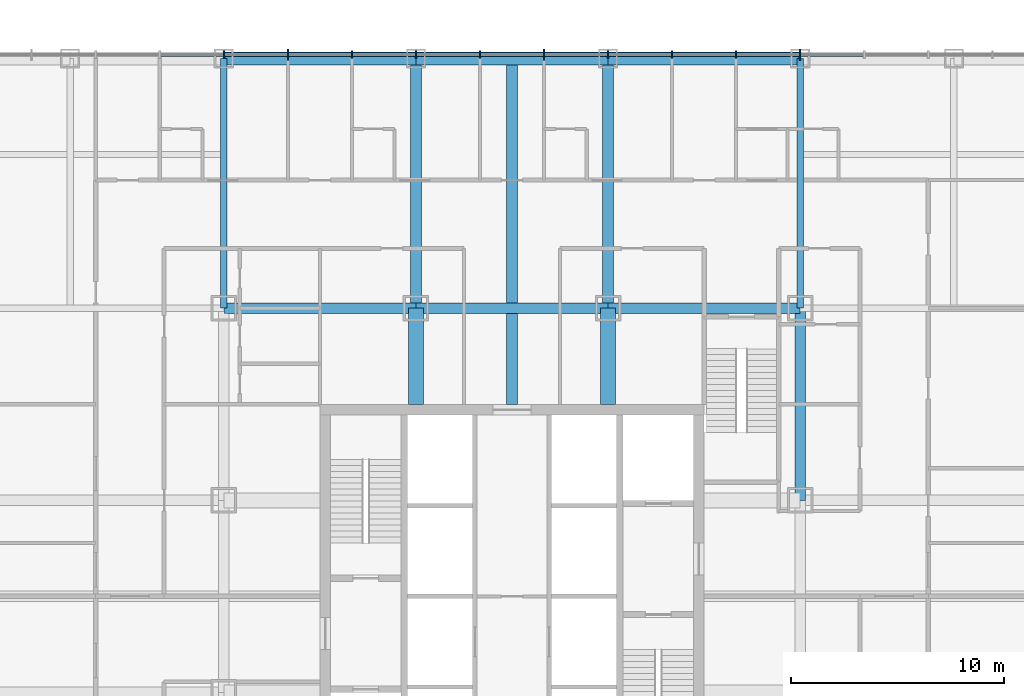
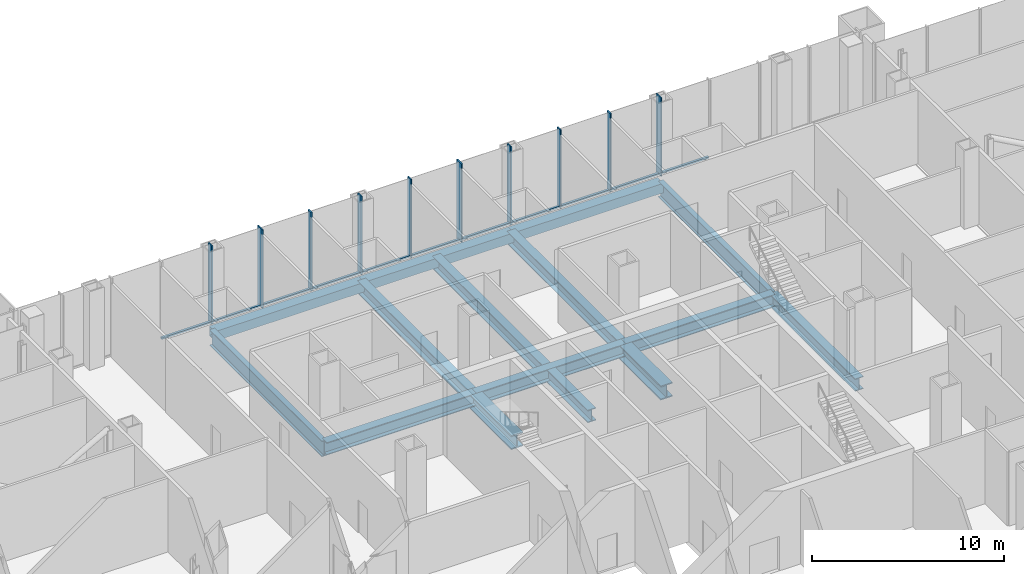
# One storey, part 9 of 28: 21 members, 14 beams, 1 element without a shape of its own.
"""IFC4 building model written with IfcOpenShell, lengths in metres."""

import ifcopenshell
import ifcopenshell.guid

model = None  # the IFC model being written
_history = None  # IfcOwnerHistory: only IFC2X3 demands one
_inside = {}  # id of a spatial element -> (the spatial element, [elements in it])
_under = {}  # id of a project, library or spatial element -> (it, [spatial elements below it])
_declared = {}  # id of a project -> (the project, [libraries it declares])
_typed = {}  # id of a type object -> (the type object, [elements of that type])
_made_of = {}  # id of a material, layer set ... -> (it, [elements and type objects made of it])


def new_model(schema):
    """Start an empty IFC model of exactly this schema.

    Asked for "IFC4X3", IfcOpenShell would pick the latest addendum, in which some entities
    have other attributes; the version numbers below select the first issue.
    IFC2X3 requires an IfcOwnerHistory on every rooted entity: one is made here for all.
    """
    global model, _history
    if schema == "IFC4X3":
        model = ifcopenshell.file(schema_version=(4, 3, 0, 0))
    else:
        model = ifcopenshell.file(schema=schema)
    _inside.clear()
    _under.clear()
    _declared.clear()
    _typed.clear()
    _made_of.clear()
    _history = None
    if model.schema == "IFC2X3":
        org = make("IfcOrganization", Name="unknown")
        user = make(
            "IfcPersonAndOrganization",
            ThePerson=make("IfcPerson", FamilyName="unknown"),
            TheOrganization=org,
        )
        app = make(
            "IfcApplication",
            ApplicationDeveloper=org,
            Version="unknown",
            ApplicationFullName="unknown",
            ApplicationIdentifier="unknown",
        )
        _history = make(
            "IfcOwnerHistory",
            OwningUser=user,
            OwningApplication=app,
            ChangeAction="ADDED",
            CreationDate=0,
        )
    return model


def make(cls, **values):
    """One entity of the class cls with the attributes given. An attribute that is None is left unset."""
    return model.create_entity(
        cls, **{name: value for name, value in values.items() if value is not None}
    )


def rooted(cls, **values):
    """An entity with a GlobalId (a new one), such as an element, a storey or a relation."""
    return make(cls, GlobalId=ifcopenshell.guid.new(), OwnerHistory=_history, **values)


def si_unit(unit_type, name, prefix=None):
    """IfcSIUnit, for example si_unit("LENGTHUNIT", "METRE", prefix="MILLI")."""
    return make("IfcSIUnit", UnitType=unit_type, Prefix=prefix, Name=name)


def assignment(units):
    """IfcUnitAssignment: the units of a project."""
    return None if units is None else make("IfcUnitAssignment", Units=units)


def point(xyz):
    """IfcCartesianPoint."""
    return None if xyz is None else make("IfcCartesianPoint", Coordinates=xyz)


def direction(xyz):
    """IfcDirection."""
    return None if xyz is None else make("IfcDirection", DirectionRatios=xyz)


def frame(location, z_axis=None, x_axis=None):
    """IfcAxis2Placement3D, a coordinate frame: its origin and axes. An axis left out is left unset."""
    return make(
        "IfcAxis2Placement3D",
        Location=point(location),
        Axis=direction(z_axis),
        RefDirection=direction(x_axis),
    )


def frame_2d(location, x_axis=None):
    """IfcAxis2Placement2D, a coordinate frame in the plane: its origin and x axis."""
    return make(
        "IfcAxis2Placement2D", Location=point(location), RefDirection=direction(x_axis)
    )


def origin():
    """The frame at (0, 0, 0) with its axes left unset."""
    return frame((0.0, 0.0, 0.0))


def origin_2d():
    """The frame at (0, 0) in the plane with its x axis left unset."""
    return frame_2d((0.0, 0.0))


def place(relative_to, where):
    """IfcLocalPlacement: puts the frame where relative to a parent placement (None: the world)."""
    return make(
        "IfcLocalPlacement", PlacementRelTo=relative_to, RelativePlacement=where
    )


def context(
    kind, dimensions, precision=None, world=None, true_north=None, identifier=None
):
    """IfcGeometricRepresentationContext, for example the 3D "Model" context."""
    return make(
        "IfcGeometricRepresentationContext",
        ContextIdentifier=identifier,
        ContextType=kind,
        CoordinateSpaceDimension=dimensions,
        Precision=precision,
        WorldCoordinateSystem=world,
        TrueNorth=true_north,
    )


def subcontext(parent, identifier, kind, view, scale=None):
    """IfcGeometricRepresentationSubContext, for example "Body" below "Model"."""
    return make(
        "IfcGeometricRepresentationSubContext",
        ContextIdentifier=identifier,
        ContextType=kind,
        ParentContext=parent,
        TargetScale=scale,
        TargetView=view,
    )


def project(units=None, contexts=None):
    """IfcProject with its units and contexts."""
    return rooted(
        "IfcProject",
        Name="project",
        RepresentationContexts=contexts,
        UnitsInContext=assignment(units),
    )


def spatial(cls, under=None, at=None, **own):
    """A site, building, storey or space (cls), placed at a placement, below another one or the project."""
    s = rooted(cls, ObjectPlacement=at, **own)
    if under is not None:
        _under.setdefault(under.id(), (under, []))[1].append(s)
    return s


def profile(cls, at=None, kind="AREA", **sizes):
    """A parametric profile (cls). Its sizes go by their IFC names, for example OverallWidth=200.0."""
    return make(cls, ProfileType=kind, Position=at, **sizes)


def rectangle(**sizes):
    """IfcRectangleProfileDef."""
    return profile("IfcRectangleProfileDef", **sizes)


def hollow_rectangle(**sizes):
    """IfcRectangleHollowProfileDef."""
    return profile("IfcRectangleHollowProfileDef", **sizes)


def i_section(**sizes):
    """IfcIShapeProfileDef."""
    return profile("IfcIShapeProfileDef", **sizes)


def extrude(swept, where, along, depth):
    """IfcExtrudedAreaSolid: the profile swept, set in the frame where, extruded along a direction by depth."""
    return make(
        "IfcExtrudedAreaSolid",
        SweptArea=swept,
        Position=where,
        ExtrudedDirection=direction(along),
        Depth=depth,
    )


def shape(context_of_items, identifier, shape_type, items):
    """IfcShapeRepresentation: the items that make up one representation, for example the "Body"."""
    return make(
        "IfcShapeRepresentation",
        ContextOfItems=context_of_items,
        RepresentationIdentifier=identifier,
        RepresentationType=shape_type,
        Items=items,
    )


def material(Name=None, Category=None):
    """IfcMaterial."""
    return make("IfcMaterial", Name=Name, Category=Category)


def layer(
    of_material, thickness, ventilated=None, Name=None, Category=None, Priority=None
):
    """IfcMaterialLayer: one layer of a wall or slab, of a material (None: an air gap)."""
    return make(
        "IfcMaterialLayer",
        Material=of_material,
        LayerThickness=thickness,
        IsVentilated=ventilated,
        Name=Name,
        Category=Category,
        Priority=Priority,
    )


def layer_set(layers, Name=None):
    """IfcMaterialLayerSet."""
    return make("IfcMaterialLayerSet", MaterialLayers=layers, LayerSetName=Name)


def material_profile(
    of_material, cross_section, Name=None, Category=None, Priority=None
):
    """IfcMaterialProfile: a cross section and its material."""
    return make(
        "IfcMaterialProfile",
        Name=Name,
        Material=of_material,
        Profile=cross_section,
        Priority=Priority,
        Category=Category,
    )


def profile_set(profiles, Name=None, composite=None):
    """IfcMaterialProfileSet."""
    return make(
        "IfcMaterialProfileSet",
        Name=Name,
        MaterialProfiles=profiles,
        CompositeProfile=composite,
    )


def made_of(thing, what):
    """Note that an element or type object is made of a material, layer set ...; save() writes the relation."""
    if what is not None:
        _made_of.setdefault(what.id(), (what, []))[1].append(thing)
    return thing


def type_object(cls, material=None, **own):
    """A type object (cls), such as IfcWallType, which elements share."""
    return made_of(rooted(cls, **own), material)


def element(
    cls,
    number,
    at=None,
    inside=None,
    cuts=None,
    type_object=None,
    material=None,
    context=None,
    identifier="Body",
    shape_type=None,
    held_by="IfcProductDefinitionShape",
    body=None,
    shapes=None,
    **own,
):
    """One element of the class cls, such as IfcWall. Its Tag is "e" and its number.

    at: its placement. inside: the storey or other place that contains it. cuts: it is an
    opening in that element (IfcRelVoidsElement). A single representation is given by context,
    identifier, shape_type and body (its items); several are given by shapes. held_by: the class
    of the entity that holds the representations. save() writes the other relations.
    """
    e = rooted(cls, Tag="e%d" % number, ObjectPlacement=at, **own)
    if body is not None:
        shapes = [shape(context, identifier, shape_type, body)]
    if shapes is not None:
        e.Representation = make(held_by, Representations=shapes)
    if inside is not None:
        _inside.setdefault(inside.id(), (inside, []))[1].append(e)
    if cuts is not None:
        rooted(
            "IfcRelVoidsElement", RelatingBuildingElement=cuts, RelatedOpeningElement=e
        )
    if type_object is not None:
        _typed.setdefault(type_object.id(), (type_object, []))[1].append(e)
    return made_of(e, material)


def aggregate(whole, parts):
    """IfcRelAggregates: a whole, such as a stair, and the parts it consists of."""
    return rooted("IfcRelAggregates", RelatingObject=whole, RelatedObjects=parts)


def save(model, path):
    """Write the relations noted so far, then the file.

    IfcRelAggregates (storeys below a building ...), IfcRelContainedInSpatialStructure (elements
    in a storey), IfcRelDefinesByType, IfcRelAssociatesMaterial and IfcRelDeclares: one each for
    every whole, place, type object, material and project.
    """
    for whole, parts in _under.values():
        aggregate(whole, parts)
    for where, things in _inside.values():
        rooted(
            "IfcRelContainedInSpatialStructure",
            RelatedElements=things,
            RelatingStructure=where,
        )
    for kind, things in _typed.values():
        rooted("IfcRelDefinesByType", RelatedObjects=things, RelatingType=kind)
    for what, things in _made_of.values():
        rooted("IfcRelAssociatesMaterial", RelatedObjects=things, RelatingMaterial=what)
    for by, libraries in _declared.values():
        rooted("IfcRelDeclares", RelatingContext=by, RelatedDefinitions=libraries)
    model.write(path)


model = new_model("IFC4")

# Units and contexts
model_context = context("Model", 3, precision=1e-05, world=origin(), true_north=direction((0.0, 1.0)))
body_context = subcontext(model_context, "Body", "Model", "MODEL_VIEW")
ifc_project = project(units=[si_unit("LENGTHUNIT", "METRE"), si_unit("AREAUNIT", "SQUARE_METRE"), si_unit("VOLUMEUNIT", "CUBIC_METRE"), si_unit("PLANEANGLEUNIT", "RADIAN"), si_unit("MASSUNIT", "GRAM", prefix="KILO")], contexts=[model_context])

# Site, building, storey
site_placement = place(None, origin())
site = spatial("IfcSite", under=ifc_project, at=site_placement, CompositionType="ELEMENT")
building_placement = place(site_placement, origin())
building = spatial("IfcBuilding", under=site, at=building_placement, Name="Malebo Sky Hospital", CompositionType="ELEMENT")
storey_placement = place(building_placement, frame((0.0, 0.0, 21.0)))
storey = spatial("IfcBuildingStorey", under=building, at=storey_placement, Name="L04", CompositionType="ELEMENT", Elevation=21.0)

# Curtain wall, members
ifc_material_1 = material(Name="Anodised aluminium, natural silver", Category="aluminium")
ifc_layer = layer(ifc_material_1, 0.25)
ifc_layer_set = layer_set([ifc_layer], Name="PODIUM ENTRANCE BAY CURTAIN WALL")
curtain_wall_type = type_object("IfcCurtainWallType", Name="PODIUM ENTRANCE BAY CURTAIN WALL", PredefinedType="NOTDEFINED", material=ifc_layer_set)
curtain_wall_placement = place(storey_placement, origin())
curtain_wall = element("IfcCurtainWall", 1, at=curtain_wall_placement, inside=storey, type_object=curtain_wall_type, Name="BAY curtain wall BN", PredefinedType="NOTDEFINED")
ifc_material_profile_1 = material_profile(ifc_material_1, rectangle(XDim=0.14990234375, YDim=0.10009765625, at=origin_2d()), Name="ALUMINIUM TRANSOM 150x100")
ifc_profile_set_1 = profile_set([ifc_material_profile_1], Name="Anodised aluminium, natural silver")
member_type_1 = type_object("IfcMemberType", Name="ALUMINIUM TRANSOM 150x100", PredefinedType="USERDEFINED", material=ifc_profile_set_1)
member_1_placement = place(storey_placement, frame((76.46240234375, 87.375, 0.050048828125), z_axis=(-1.0, 0.0, 0.0), x_axis=(0.0, -1.0, 0.0)))
member_1 = element("IfcMember", 2, at=member_1_placement, type_object=member_type_1, Name="Transom 4", ObjectType="TRANSOM", PredefinedType="USERDEFINED", context=body_context, shape_type="SweptSolid", body=[
    extrude(rectangle(XDim=0.14990234375, YDim=0.10009765625, at=origin_2d()), origin(), (0.0, 0.0, 1.0), 2.9248046875),
])
member_2_placement = place(storey_placement, frame((73.46240234375, 87.375, 0.050048828125), z_axis=(-1.0, 0.0, 0.0), x_axis=(0.0, -1.0, 0.0)))
member_2 = element("IfcMember", 3, at=member_2_placement, type_object=member_type_1, Name="Transom 5", ObjectType="TRANSOM", PredefinedType="USERDEFINED", context=body_context, shape_type="SweptSolid", body=[
    extrude(rectangle(XDim=0.14990234375, YDim=0.10009765625, at=origin_2d()), origin(), (0.0, 0.0, 1.0), 2.9248046875),
])
member_3_placement = place(storey_placement, frame((70.46240234375, 87.375, 0.050048828125), z_axis=(-1.0, 0.0, 0.0), x_axis=(0.0, -1.0, 0.0)))
member_3 = element("IfcMember", 4, at=member_3_placement, type_object=member_type_1, Name="Transom 6", ObjectType="TRANSOM", PredefinedType="USERDEFINED", context=body_context, shape_type="SweptSolid", body=[
    extrude(rectangle(XDim=0.14990234375, YDim=0.10009765625, at=origin_2d()), origin(), (0.0, 0.0, 1.0), 2.9248046875),
])
member_4_placement = place(storey_placement, frame((67.46240234375, 87.375, 0.050048828125), z_axis=(-1.0, 0.0, 0.0), x_axis=(0.0, -1.0, 0.0)))
member_4 = element("IfcMember", 5, at=member_4_placement, type_object=member_type_1, Name="Transom 7", ObjectType="TRANSOM", PredefinedType="USERDEFINED", context=body_context, shape_type="SweptSolid", body=[
    extrude(rectangle(XDim=0.14990234375, YDim=0.10009765625, at=origin_2d()), origin(), (0.0, 0.0, 1.0), 2.9248046875),
])
member_5_placement = place(storey_placement, frame((64.46240234375, 87.375, 0.050048828125), z_axis=(-1.0, 0.0, 0.0), x_axis=(0.0, -1.0, 0.0)))
member_5 = element("IfcMember", 6, at=member_5_placement, type_object=member_type_1, Name="Transom 8", ObjectType="TRANSOM", PredefinedType="USERDEFINED", context=body_context, shape_type="SweptSolid", body=[
    extrude(rectangle(XDim=0.14990234375, YDim=0.10009765625, at=origin_2d()), origin(), (0.0, 0.0, 1.0), 2.9248046875),
])
member_6_placement = place(storey_placement, frame((61.46240234375, 87.375, 0.050048828125), z_axis=(-1.0, 0.0, 0.0), x_axis=(0.0, -1.0, 0.0)))
member_6 = element("IfcMember", 7, at=member_6_placement, type_object=member_type_1, Name="Transom 9", ObjectType="TRANSOM", PredefinedType="USERDEFINED", context=body_context, shape_type="SweptSolid", body=[
    extrude(rectangle(XDim=0.14990234375, YDim=0.10009765625, at=origin_2d()), origin(), (0.0, 0.0, 1.0), 2.9248046875),
])
member_7_placement = place(storey_placement, frame((58.46240234375, 87.375, 0.050048828125), z_axis=(-1.0, 0.0, 0.0), x_axis=(0.0, -1.0, 0.0)))
member_7 = element("IfcMember", 8, at=member_7_placement, type_object=member_type_1, Name="Transom 10", ObjectType="TRANSOM", PredefinedType="USERDEFINED", context=body_context, shape_type="SweptSolid", body=[
    extrude(rectangle(XDim=0.14990234375, YDim=0.10009765625, at=origin_2d()), origin(), (0.0, 0.0, 1.0), 2.9248046875),
])
member_8_placement = place(storey_placement, frame((55.46240234375, 87.375, 0.050048828125), z_axis=(-1.0, 0.0, 0.0), x_axis=(0.0, -1.0, 0.0)))
member_8 = element("IfcMember", 9, at=member_8_placement, type_object=member_type_1, Name="Transom 11", ObjectType="TRANSOM", PredefinedType="USERDEFINED", context=body_context, shape_type="SweptSolid", body=[
    extrude(rectangle(XDim=0.14990234375, YDim=0.10009765625, at=origin_2d()), origin(), (0.0, 0.0, 1.0), 2.9248046875),
])
member_9_placement = place(storey_placement, frame((52.46240234375, 87.375, 0.050048828125), z_axis=(-1.0, 0.0, 0.0), x_axis=(0.0, -1.0, 0.0)))
member_9 = element("IfcMember", 10, at=member_9_placement, type_object=member_type_1, Name="Transom 12", ObjectType="TRANSOM", PredefinedType="USERDEFINED", context=body_context, shape_type="SweptSolid", body=[
    extrude(rectangle(XDim=0.14990234375, YDim=0.10009765625, at=origin_2d()), origin(), (0.0, 0.0, 1.0), 2.9248046875),
])
member_10_placement = place(storey_placement, frame((49.46240234375, 87.375, 0.050048828125), z_axis=(-1.0, 0.0, 0.0), x_axis=(0.0, -1.0, 0.0)))
member_10 = element("IfcMember", 11, at=member_10_placement, type_object=member_type_1, Name="Transom 13", ObjectType="TRANSOM", PredefinedType="USERDEFINED", context=body_context, shape_type="SweptSolid", body=[
    extrude(rectangle(XDim=0.14990234375, YDim=0.10009765625, at=origin_2d()), origin(), (0.0, 0.0, 1.0), 2.9248046875),
])
member_11_placement = place(storey_placement, frame((46.46240234375, 87.375, 0.050048828125), z_axis=(-1.0, 0.0, 0.0), x_axis=(0.0, -1.0, 0.0)))
member_11 = element("IfcMember", 12, at=member_11_placement, type_object=member_type_1, Name="Transom 14", ObjectType="TRANSOM", PredefinedType="USERDEFINED", context=body_context, shape_type="SweptSolid", body=[
    extrude(rectangle(XDim=0.14990234375, YDim=0.10009765625, at=origin_2d()), origin(), (0.0, 0.0, 1.0), 2.9248046875),
])
ifc_material_profile_2 = material_profile(ifc_material_1, rectangle(XDim=0.074951171875, YDim=0.35009765625, at=origin_2d()), Name="CW4 ALUMINIUM FIN MULLION 75x350")
ifc_profile_set_2 = profile_set([ifc_material_profile_2], Name="Anodised aluminium, natural silver")
member_type_2 = type_object("IfcMemberType", Name="CW4 ALUMINIUM FIN MULLION 75x350", PredefinedType="MULLION", material=ifc_profile_set_2)
member_12_placement = place(storey_placement, frame((70.5, 87.375, 0.0), z_axis=(0.0, 0.0, 1.0), x_axis=(-1.0, 0.0, 0.0)))
member_12 = element("IfcMember", 13, at=member_12_placement, type_object=member_type_2, Name="Fin mullion 6", PredefinedType="MULLION", context=body_context, shape_type="SweptSolid", body=[
    extrude(rectangle(XDim=0.074951171875, YDim=0.35009765625, at=origin_2d()), origin(), (0.0, 0.0, 1.0), 5.0),
])
member_13_placement = place(storey_placement, frame((67.5, 87.375, 0.0), z_axis=(0.0, 0.0, 1.0), x_axis=(-1.0, 0.0, 0.0)))
member_13 = element("IfcMember", 14, at=member_13_placement, type_object=member_type_2, Name="Fin mullion 7", PredefinedType="MULLION", context=body_context, shape_type="SweptSolid", body=[
    extrude(rectangle(XDim=0.074951171875, YDim=0.35009765625, at=origin_2d()), origin(), (0.0, 0.0, 1.0), 5.0),
])
member_14_placement = place(storey_placement, frame((64.5, 87.375, 0.0), z_axis=(0.0, 0.0, 1.0), x_axis=(-1.0, 0.0, 0.0)))
member_14 = element("IfcMember", 15, at=member_14_placement, type_object=member_type_2, Name="Fin mullion 8", PredefinedType="MULLION", context=body_context, shape_type="SweptSolid", body=[
    extrude(rectangle(XDim=0.074951171875, YDim=0.35009765625, at=origin_2d()), origin(), (0.0, 0.0, 1.0), 5.0),
])
member_15_placement = place(storey_placement, frame((58.5, 87.375, 0.0), z_axis=(0.0, 0.0, 1.0), x_axis=(-1.0, 0.0, 0.0)))
member_15 = element("IfcMember", 16, at=member_15_placement, type_object=member_type_2, Name="Fin mullion 10", PredefinedType="MULLION", context=body_context, shape_type="SweptSolid", body=[
    extrude(rectangle(XDim=0.074951171875, YDim=0.35009765625, at=origin_2d()), origin(), (0.0, 0.0, 1.0), 5.0),
])
member_16_placement = place(storey_placement, frame((55.5, 87.375, 0.0), z_axis=(0.0, 0.0, 1.0), x_axis=(-1.0, 0.0, 0.0)))
member_16 = element("IfcMember", 17, at=member_16_placement, type_object=member_type_2, Name="Fin mullion 11", PredefinedType="MULLION", context=body_context, shape_type="SweptSolid", body=[
    extrude(rectangle(XDim=0.074951171875, YDim=0.35009765625, at=origin_2d()), origin(), (0.0, 0.0, 1.0), 5.0),
])
member_17_placement = place(storey_placement, frame((52.5, 87.375, 0.0), z_axis=(0.0, 0.0, 1.0), x_axis=(-1.0, 0.0, 0.0)))
member_17 = element("IfcMember", 18, at=member_17_placement, type_object=member_type_2, Name="Fin mullion 12", PredefinedType="MULLION", context=body_context, shape_type="SweptSolid", body=[
    extrude(rectangle(XDim=0.074951171875, YDim=0.35009765625, at=origin_2d()), origin(), (0.0, 0.0, 1.0), 5.0),
])
member_18_placement = place(storey_placement, frame((46.5, 87.375, 0.0), z_axis=(0.0, 0.0, 1.0), x_axis=(-1.0, 0.0, 0.0)))
member_18 = element("IfcMember", 19, at=member_18_placement, type_object=member_type_2, Name="Fin mullion 14", PredefinedType="MULLION", context=body_context, shape_type="SweptSolid", body=[
    extrude(rectangle(XDim=0.074951171875, YDim=0.35009765625, at=origin_2d()), origin(), (0.0, 0.0, 1.0), 5.0),
])
ifc_material_profile_3 = material_profile(ifc_material_1, rectangle(XDim=0.074951171875, YDim=0.5, at=origin_2d()), Name="CW4 ALUMINIUM FIN MULLION 75x500")
ifc_profile_set_3 = profile_set([ifc_material_profile_3], Name="Anodised aluminium, natural silver")
member_type_3 = type_object("IfcMemberType", Name="CW4 ALUMINIUM FIN MULLION 75x500", PredefinedType="MULLION", material=ifc_profile_set_3)
member_19_placement = place(storey_placement, frame((73.5, 87.375, 0.0), z_axis=(0.0, 0.0, 1.0), x_axis=(-1.0, 0.0, 0.0)))
member_19 = element("IfcMember", 20, at=member_19_placement, type_object=member_type_3, Name="Fin mullion 5", PredefinedType="MULLION", context=body_context, shape_type="SweptSolid", body=[
    extrude(rectangle(XDim=0.074951171875, YDim=0.5, at=origin_2d()), origin(), (0.0, 0.0, 1.0), 5.0),
])
member_20_placement = place(storey_placement, frame((61.5, 87.375, 0.0), z_axis=(0.0, 0.0, 1.0), x_axis=(-1.0, 0.0, 0.0)))
member_20 = element("IfcMember", 21, at=member_20_placement, type_object=member_type_3, Name="Fin mullion 9", PredefinedType="MULLION", context=body_context, shape_type="SweptSolid", body=[
    extrude(rectangle(XDim=0.074951171875, YDim=0.5, at=origin_2d()), origin(), (0.0, 0.0, 1.0), 5.0),
])
member_21_placement = place(storey_placement, frame((49.5, 87.375, 0.0), z_axis=(0.0, 0.0, 1.0), x_axis=(-1.0, 0.0, 0.0)))
member_21 = element("IfcMember", 22, at=member_21_placement, type_object=member_type_3, Name="Fin mullion 13", PredefinedType="MULLION", context=body_context, shape_type="SweptSolid", body=[
    extrude(rectangle(XDim=0.074951171875, YDim=0.5, at=origin_2d()), origin(), (0.0, 0.0, 1.0), 5.0),
])
aggregate(curtain_wall, [member_19, member_12, member_13, member_14, member_20, member_15, member_16, member_17, member_21, member_18, member_1, member_2, member_3, member_4, member_5, member_6, member_7, member_8, member_9, member_10, member_11])

# Beams
ifc_material_2 = material(Name="Steel S460", Category="steel")
ifc_material_profile_4 = material_profile(ifc_material_2, hollow_rectangle(XDim=0.60009765625, YDim=0.60009765625, WallThickness=0.0400390625, at=origin_2d()), Name="BOX 600x600x40")
ifc_profile_set_4 = profile_set([ifc_material_profile_4], Name="Steel S460")
beam_type_1 = type_object("IfcBeamType", Name="EDGE BEAM BOX 600x600x40", PredefinedType="BEAM", material=ifc_profile_set_4)
for number, where, z_axis, x_axis, name in (
    (23, (46.5, 87.199951171875, -0.60009765625), (1.0, 0.0, 0.0), (0.0, 1.0, 0.0), "Beam 071 L04"),
    (24, (55.5, 87.199951171875, -0.60009765625), (1.0, 0.0, 0.0), (0.0, 1.0, 0.0), "Beam 072 L04"),
    (25, (64.5, 87.199951171875, -0.60009765625), (1.0, 0.0, 0.0), (0.0, 1.0, 0.0), "Beam 073 L04"),
):
    element("IfcBeam", number, at=place(storey_placement, frame(where, z_axis=z_axis, x_axis=x_axis)), inside=storey, type_object=beam_type_1, Name=name, PredefinedType="BEAM", context=body_context, shape_type="SweptSolid", body=[
        extrude(hollow_rectangle(XDim=0.60009765625, YDim=0.60009765625, WallThickness=0.0400390625, at=origin_2d()), origin(), (0.0, 0.0, 1.0), 9.0),
    ])
ifc_material_3 = material(Name="Steel S355", Category="steel")
ifc_material_profile_5 = material_profile(ifc_material_3, i_section(OverallWidth=0.5, OverallDepth=0.800048828125, WebThickness=0.030029296875, FlangeThickness=0.050048828125, at=origin_2d()), Name="PG 800x500x30x50")
ifc_profile_set_5 = profile_set([ifc_material_profile_5], Name="Steel S355")
beam_type_2 = type_object("IfcBeamType", Name="FLOOR BEAM PG 800x500x30x50", PredefinedType="BEAM", material=ifc_profile_set_5)
beam_1_placement = place(storey_placement, frame((55.5, 75.5, -0.699951171875), z_axis=(0.0, 1.0, 0.0), x_axis=(-1.0, 0.0, 0.0)))
element("IfcBeam", 26, at=beam_1_placement, inside=storey, type_object=beam_type_2, Name="Beam 017 L04", PredefinedType="BEAM", context=body_context, shape_type="SweptSolid", body=[
    extrude(i_section(OverallWidth=0.5, OverallDepth=0.800048828125, WebThickness=0.030029296875, FlangeThickness=0.050048828125, at=origin_2d()), origin(), (0.0, 0.0, 1.0), 11.699951171875),
])
beam_2_placement = place(storey_placement, frame((60.0, 71.0, -0.699951171875), z_axis=(0.0, 1.0, 0.0), x_axis=(-1.0, 0.0, 0.0)))
element("IfcBeam", 27, at=beam_2_placement, inside=storey, type_object=beam_type_2, Name="Beam 019 L04", PredefinedType="BEAM", context=body_context, shape_type="SweptSolid", body=[
    extrude(i_section(OverallWidth=0.5, OverallDepth=0.800048828125, WebThickness=0.030029296875, FlangeThickness=0.050048828125, at=origin_2d()), origin(), (0.0, 0.0, 1.0), 16.199951171875),
])
beam_3_placement = place(storey_placement, frame((64.5, 75.5, -0.699951171875), z_axis=(0.0, 1.0, 0.0), x_axis=(-1.0, 0.0, 0.0)))
element("IfcBeam", 28, at=beam_3_placement, inside=storey, type_object=beam_type_2, Name="Beam 023 L04", PredefinedType="BEAM", context=body_context, shape_type="SweptSolid", body=[
    extrude(i_section(OverallWidth=0.5, OverallDepth=0.800048828125, WebThickness=0.030029296875, FlangeThickness=0.050048828125, at=origin_2d()), origin(), (0.0, 0.0, 1.0), 11.699951171875),
])
for number, where, z_axis, x_axis, name in (
    (29, (73.5, 66.5, -0.699951171875), (0.0, 1.0, 0.0), (-1.0, 0.0, 0.0), "Beam 027 L04"),
    (30, (46.5, 75.5, -0.699951171875), (1.0, 0.0, 0.0), (0.0, 1.0, 0.0), "Beam 063 L04"),
    (31, (64.5, 75.5, -0.699951171875), (1.0, 0.0, 0.0), (0.0, 1.0, 0.0), "Beam 065 L04"),
):
    element("IfcBeam", number, at=place(storey_placement, frame(where, z_axis=z_axis, x_axis=x_axis)), inside=storey, type_object=beam_type_2, Name=name, PredefinedType="BEAM", context=body_context, shape_type="SweptSolid", body=[
        extrude(i_section(OverallWidth=0.5, OverallDepth=0.800048828125, WebThickness=0.030029296875, FlangeThickness=0.050048828125, at=origin_2d()), origin(), (0.0, 0.0, 1.0), 9.0),
    ])
ifc_material_profile_6 = material_profile(ifc_material_3, i_section(OverallWidth=0.699951171875, OverallDepth=0.89990234375, WebThickness=0.0400390625, FlangeThickness=0.070068359375, at=origin_2d()), Name="PG 900x700x40x70")
ifc_profile_set_6 = profile_set([ifc_material_profile_6], Name="Steel S355")
beam_type_3 = type_object("IfcBeamType", Name="FLOOR BEAM PG 900x700x40x70", PredefinedType="BEAM", material=ifc_profile_set_6)
for number, where, z_axis, x_axis, name in (
    (32, (55.5, 71.0, -0.75), (0.0, 1.0, 0.0), (-1.0, 0.0, 0.0), "Beam 016 L04"),
    (33, (64.5, 71.0, -0.75), (0.0, 1.0, 0.0), (-1.0, 0.0, 0.0), "Beam 022 L04"),
):
    element("IfcBeam", number, at=place(storey_placement, frame(where, z_axis=z_axis, x_axis=x_axis)), inside=storey, type_object=beam_type_3, Name=name, PredefinedType="BEAM", context=body_context, shape_type="SweptSolid", body=[
        extrude(i_section(OverallWidth=0.699951171875, OverallDepth=0.89990234375, WebThickness=0.0400390625, FlangeThickness=0.070068359375, at=origin_2d()), origin(), (0.0, 0.0, 1.0), 4.5),
    ])
ifc_material_profile_7 = material_profile(ifc_material_3, i_section(OverallWidth=0.300048828125, OverallDepth=1.0, WebThickness=0.01904296875, FlangeThickness=0.035888671875, FilletRadius=0.030029296875, at=origin_2d()), Name="HEB 1000")
ifc_profile_set_7 = profile_set([ifc_material_profile_7], Name="Steel S355")
beam_type_4 = type_object("IfcBeamType", Name="FLOOR GIRDER HEB 1000", PredefinedType="BEAM", material=ifc_profile_set_7)
for number, where, z_axis, x_axis, name in (
    (34, (46.5, 75.5, -0.800048828125), (0.0, 1.0, 0.0), (-1.0, 0.0, 0.0), "Beam 013 L04"),
    (35, (73.5, 75.5, -0.800048828125), (0.0, 1.0, 0.0), (-1.0, 0.0, 0.0), "Beam 028 L04"),
):
    element("IfcBeam", number, at=place(storey_placement, frame(where, z_axis=z_axis, x_axis=x_axis)), inside=storey, type_object=beam_type_4, Name=name, PredefinedType="BEAM", context=body_context, shape_type="SweptSolid", body=[
        extrude(i_section(OverallWidth=0.300048828125, OverallDepth=1.0, WebThickness=0.01904296875, FlangeThickness=0.035888671875, FilletRadius=0.030029296875, at=origin_2d()), origin(), (0.0, 0.0, 1.0), 11.699951171875),
    ])
ifc_material_profile_8 = material_profile(ifc_material_3, i_section(OverallWidth=0.5, OverallDepth=0.800048828125, WebThickness=0.030029296875, FlangeThickness=0.050048828125, at=origin_2d()), Name="PG 800x500x30x50")
ifc_profile_set_8 = profile_set([ifc_material_profile_8], Name="Steel S355")
beam_type_5 = type_object("IfcBeamType", Name="RING GIRDER PG 800x500x30x50", PredefinedType="BEAM", material=ifc_profile_set_8)
beam_4_placement = place(storey_placement, frame((55.5, 75.5, -0.699951171875), z_axis=(1.0, 0.0, 0.0), x_axis=(0.0, 1.0, 0.0)))
element("IfcBeam", 36, at=beam_4_placement, inside=storey, type_object=beam_type_5, Name="Beam 064 L04", PredefinedType="BEAM", context=body_context, shape_type="SweptSolid", body=[
    extrude(i_section(OverallWidth=0.5, OverallDepth=0.800048828125, WebThickness=0.030029296875, FlangeThickness=0.050048828125, at=origin_2d()), origin(), (0.0, 0.0, 1.0), 9.0),
])

save(model, "model.ifc")
